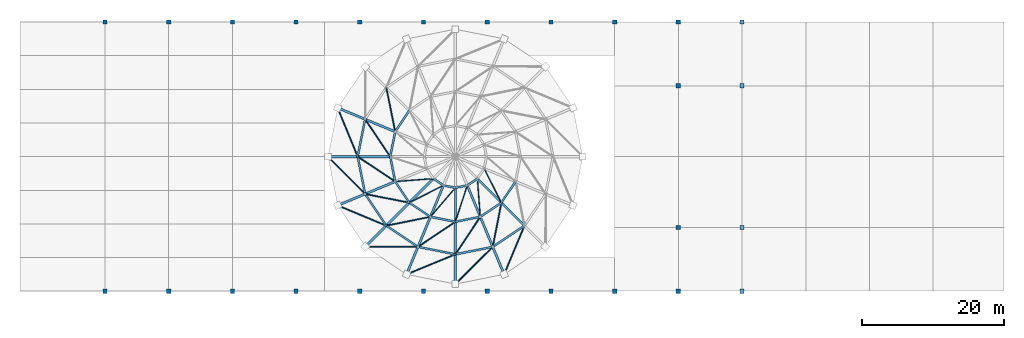
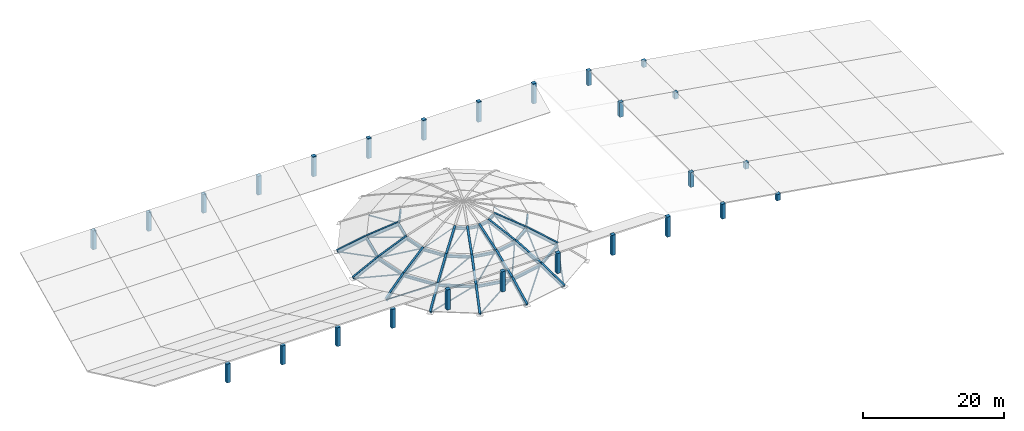
# One storey, part 1 of 7: 41 members, 26 columns, 20 beams.
"""IFC4 building model written with IfcOpenShell, lengths in metres."""

import ifcopenshell
import ifcopenshell.guid

model = None  # the IFC model being written
_history = None  # IfcOwnerHistory: only IFC2X3 demands one
_inside = {}  # id of a spatial element -> (the spatial element, [elements in it])
_under = {}  # id of a project, library or spatial element -> (it, [spatial elements below it])
_declared = {}  # id of a project -> (the project, [libraries it declares])
_typed = {}  # id of a type object -> (the type object, [elements of that type])
_made_of = {}  # id of a material, layer set ... -> (it, [elements and type objects made of it])


def new_model(schema):
    """Start an empty IFC model of exactly this schema.

    Asked for "IFC4X3", IfcOpenShell would pick the latest addendum, in which some entities
    have other attributes; the version numbers below select the first issue.
    IFC2X3 requires an IfcOwnerHistory on every rooted entity: one is made here for all.
    """
    global model, _history
    if schema == "IFC4X3":
        model = ifcopenshell.file(schema_version=(4, 3, 0, 0))
    else:
        model = ifcopenshell.file(schema=schema)
    _inside.clear()
    _under.clear()
    _declared.clear()
    _typed.clear()
    _made_of.clear()
    _history = None
    if model.schema == "IFC2X3":
        org = make("IfcOrganization", Name="unknown")
        user = make(
            "IfcPersonAndOrganization",
            ThePerson=make("IfcPerson", FamilyName="unknown"),
            TheOrganization=org,
        )
        app = make(
            "IfcApplication",
            ApplicationDeveloper=org,
            Version="unknown",
            ApplicationFullName="unknown",
            ApplicationIdentifier="unknown",
        )
        _history = make(
            "IfcOwnerHistory",
            OwningUser=user,
            OwningApplication=app,
            ChangeAction="ADDED",
            CreationDate=0,
        )
    return model


def make(cls, **values):
    """One entity of the class cls with the attributes given. An attribute that is None is left unset."""
    return model.create_entity(
        cls, **{name: value for name, value in values.items() if value is not None}
    )


def rooted(cls, **values):
    """An entity with a GlobalId (a new one), such as an element, a storey or a relation."""
    return make(cls, GlobalId=ifcopenshell.guid.new(), OwnerHistory=_history, **values)


def si_unit(unit_type, name, prefix=None):
    """IfcSIUnit, for example si_unit("LENGTHUNIT", "METRE", prefix="MILLI")."""
    return make("IfcSIUnit", UnitType=unit_type, Prefix=prefix, Name=name)


def assignment(units):
    """IfcUnitAssignment: the units of a project."""
    return None if units is None else make("IfcUnitAssignment", Units=units)


def point(xyz):
    """IfcCartesianPoint."""
    return None if xyz is None else make("IfcCartesianPoint", Coordinates=xyz)


def direction(xyz):
    """IfcDirection."""
    return None if xyz is None else make("IfcDirection", DirectionRatios=xyz)


def frame(location, z_axis=None, x_axis=None):
    """IfcAxis2Placement3D, a coordinate frame: its origin and axes. An axis left out is left unset."""
    return make(
        "IfcAxis2Placement3D",
        Location=point(location),
        Axis=direction(z_axis),
        RefDirection=direction(x_axis),
    )


def frame_2d(location, x_axis=None):
    """IfcAxis2Placement2D, a coordinate frame in the plane: its origin and x axis."""
    return make(
        "IfcAxis2Placement2D", Location=point(location), RefDirection=direction(x_axis)
    )


def origin():
    """The frame at (0, 0, 0) with its axes left unset."""
    return frame((0.0, 0.0, 0.0))


def origin_2d():
    """The frame at (0, 0) in the plane with its x axis left unset."""
    return frame_2d((0.0, 0.0))


def place(relative_to, where):
    """IfcLocalPlacement: puts the frame where relative to a parent placement (None: the world)."""
    return make(
        "IfcLocalPlacement", PlacementRelTo=relative_to, RelativePlacement=where
    )


def context(
    kind, dimensions, precision=None, world=None, true_north=None, identifier=None
):
    """IfcGeometricRepresentationContext, for example the 3D "Model" context."""
    return make(
        "IfcGeometricRepresentationContext",
        ContextIdentifier=identifier,
        ContextType=kind,
        CoordinateSpaceDimension=dimensions,
        Precision=precision,
        WorldCoordinateSystem=world,
        TrueNorth=true_north,
    )


def subcontext(parent, identifier, kind, view, scale=None):
    """IfcGeometricRepresentationSubContext, for example "Body" below "Model"."""
    return make(
        "IfcGeometricRepresentationSubContext",
        ContextIdentifier=identifier,
        ContextType=kind,
        ParentContext=parent,
        TargetScale=scale,
        TargetView=view,
    )


def project(units=None, contexts=None):
    """IfcProject with its units and contexts."""
    return rooted(
        "IfcProject",
        Name="project",
        RepresentationContexts=contexts,
        UnitsInContext=assignment(units),
    )


def spatial(cls, under=None, at=None, **own):
    """A site, building, storey or space (cls), placed at a placement, below another one or the project."""
    s = rooted(cls, ObjectPlacement=at, **own)
    if under is not None:
        _under.setdefault(under.id(), (under, []))[1].append(s)
    return s


def profile(cls, at=None, kind="AREA", **sizes):
    """A parametric profile (cls). Its sizes go by their IFC names, for example OverallWidth=200.0."""
    return make(cls, ProfileType=kind, Position=at, **sizes)


def rectangle(**sizes):
    """IfcRectangleProfileDef."""
    return profile("IfcRectangleProfileDef", **sizes)


def hollow_circle(**sizes):
    """IfcCircleHollowProfileDef."""
    return profile("IfcCircleHollowProfileDef", **sizes)


def i_section(**sizes):
    """IfcIShapeProfileDef."""
    return profile("IfcIShapeProfileDef", **sizes)


def extrude(swept, where, along, depth):
    """IfcExtrudedAreaSolid: the profile swept, set in the frame where, extruded along a direction by depth."""
    return make(
        "IfcExtrudedAreaSolid",
        SweptArea=swept,
        Position=where,
        ExtrudedDirection=direction(along),
        Depth=depth,
    )


def shape(context_of_items, identifier, shape_type, items):
    """IfcShapeRepresentation: the items that make up one representation, for example the "Body"."""
    return make(
        "IfcShapeRepresentation",
        ContextOfItems=context_of_items,
        RepresentationIdentifier=identifier,
        RepresentationType=shape_type,
        Items=items,
    )


def material(Name=None, Category=None):
    """IfcMaterial."""
    return make("IfcMaterial", Name=Name, Category=Category)


def material_profile(
    of_material, cross_section, Name=None, Category=None, Priority=None
):
    """IfcMaterialProfile: a cross section and its material."""
    return make(
        "IfcMaterialProfile",
        Name=Name,
        Material=of_material,
        Profile=cross_section,
        Priority=Priority,
        Category=Category,
    )


def profile_set(profiles, Name=None, composite=None):
    """IfcMaterialProfileSet."""
    return make(
        "IfcMaterialProfileSet",
        Name=Name,
        MaterialProfiles=profiles,
        CompositeProfile=composite,
    )


def made_of(thing, what):
    """Note that an element or type object is made of a material, layer set ...; save() writes the relation."""
    if what is not None:
        _made_of.setdefault(what.id(), (what, []))[1].append(thing)
    return thing


def type_object(cls, material=None, **own):
    """A type object (cls), such as IfcWallType, which elements share."""
    return made_of(rooted(cls, **own), material)


def element(
    cls,
    number,
    at=None,
    inside=None,
    cuts=None,
    type_object=None,
    material=None,
    context=None,
    identifier="Body",
    shape_type=None,
    held_by="IfcProductDefinitionShape",
    body=None,
    shapes=None,
    **own,
):
    """One element of the class cls, such as IfcWall. Its Tag is "e" and its number.

    at: its placement. inside: the storey or other place that contains it. cuts: it is an
    opening in that element (IfcRelVoidsElement). A single representation is given by context,
    identifier, shape_type and body (its items); several are given by shapes. held_by: the class
    of the entity that holds the representations. save() writes the other relations.
    """
    e = rooted(cls, Tag="e%d" % number, ObjectPlacement=at, **own)
    if body is not None:
        shapes = [shape(context, identifier, shape_type, body)]
    if shapes is not None:
        e.Representation = make(held_by, Representations=shapes)
    if inside is not None:
        _inside.setdefault(inside.id(), (inside, []))[1].append(e)
    if cuts is not None:
        rooted(
            "IfcRelVoidsElement", RelatingBuildingElement=cuts, RelatedOpeningElement=e
        )
    if type_object is not None:
        _typed.setdefault(type_object.id(), (type_object, []))[1].append(e)
    return made_of(e, material)


def aggregate(whole, parts):
    """IfcRelAggregates: a whole, such as a stair, and the parts it consists of."""
    return rooted("IfcRelAggregates", RelatingObject=whole, RelatedObjects=parts)


def save(model, path):
    """Write the relations noted so far, then the file.

    IfcRelAggregates (storeys below a building ...), IfcRelContainedInSpatialStructure (elements
    in a storey), IfcRelDefinesByType, IfcRelAssociatesMaterial and IfcRelDeclares: one each for
    every whole, place, type object, material and project.
    """
    for whole, parts in _under.values():
        aggregate(whole, parts)
    for where, things in _inside.values():
        rooted(
            "IfcRelContainedInSpatialStructure",
            RelatedElements=things,
            RelatingStructure=where,
        )
    for kind, things in _typed.values():
        rooted("IfcRelDefinesByType", RelatedObjects=things, RelatingType=kind)
    for what, things in _made_of.values():
        rooted("IfcRelAssociatesMaterial", RelatedObjects=things, RelatingMaterial=what)
    for by, libraries in _declared.values():
        rooted("IfcRelDeclares", RelatingContext=by, RelatedDefinitions=libraries)
    model.write(path)


model = new_model("IFC4")

# Units and contexts
model_context = context("Model", 3, precision=1e-05, world=origin(), true_north=direction((0.0, 1.0)))
body_context = subcontext(model_context, "Body", "Model", "MODEL_VIEW")
ifc_project = project(units=[si_unit("LENGTHUNIT", "METRE"), si_unit("AREAUNIT", "SQUARE_METRE"), si_unit("VOLUMEUNIT", "CUBIC_METRE"), si_unit("PLANEANGLEUNIT", "RADIAN"), si_unit("MASSUNIT", "GRAM", prefix="KILO")], contexts=[model_context])

# Site, building, storey
site_placement = place(None, origin())
site = spatial("IfcSite", under=ifc_project, at=site_placement, CompositionType="ELEMENT")
building_placement = place(site_placement, origin())
building = spatial("IfcBuilding", under=site, at=building_placement, Name="Miravela Opera House", CompositionType="ELEMENT")
storey_placement = place(building_placement, frame((0.0, 0.0, 30.760009765625)))
storey = spatial("IfcBuildingStorey", under=building, at=storey_placement, Name="RF", CompositionType="ELEMENT", Elevation=30.760009765625)

# Columns
ifc_material_1 = material(Name="Concrete C35/45", Category="concrete")
ifc_material_profile_1 = material_profile(ifc_material_1, rectangle(XDim=0.60009765625, YDim=0.60009765625, at=origin_2d()), Name="RC-COL-600X600")
ifc_profile_set_1 = profile_set([ifc_material_profile_1])
column_type = type_object("IfcColumnType", Name="STR-COL-RC600", PredefinedType="COLUMN", material=ifc_profile_set_1)
for number, where, z_axis, x_axis, name in (
    (1, (81.0, 37.0, 0.0), (0.0, 0.0, 1.0), (1.0, 0.0, 0.0), "Column C-10E (RF)"),
    (2, (81.0, 75.0, 0.0), (0.0, 0.0, 1.0), (1.0, 0.0, 0.0), "Column C-10I (RF)"),
    (3, (90.0, 37.0, 0.0), (0.0, 0.0, 1.0), (1.0, 0.0, 0.0), "Column C-11E (RF)"),
    (4, (90.0, 75.0, 0.0), (0.0, 0.0, 1.0), (1.0, 0.0, 0.0), "Column C-11I (RF)"),
    (5, (99.0, 37.0, 0.0), (0.0, 0.0, 1.0), (1.0, 0.0, 0.0), "Column C-12E (RF)"),
    (6, (99.0, 75.0, 0.0), (0.0, 0.0, 1.0), (1.0, 0.0, 0.0), "Column C-12I (RF)"),
):
    element("IfcColumn", number, at=place(storey_placement, frame(where, z_axis=z_axis, x_axis=x_axis)), inside=storey, type_object=column_type, Name=name, PredefinedType="COLUMN", context=body_context, shape_type="SweptSolid", body=[
        extrude(rectangle(XDim=0.60009765625, YDim=0.60009765625, at=origin_2d()), origin(), (0.0, 0.0, 1.0), 3.47998046875),
    ])
for number, where, z_axis, x_axis, name in (
    (7, (108.0, 37.0, 0.0), (0.0, 0.0, 1.0), (1.0, 0.0, 0.0), "Column C-13E (RF)"),
    (8, (108.0, 46.0, 0.0), (0.0, 0.0, 1.0), (1.0, 0.0, 0.0), "Column C-13F (RF)"),
    (9, (108.0, 66.0, 0.0), (0.0, 0.0, 1.0), (1.0, 0.0, 0.0), "Column C-13H (RF)"),
    (10, (108.0, 75.0, 0.0), (0.0, 0.0, 1.0), (1.0, 0.0, 0.0), "Column C-13I (RF)"),
):
    element("IfcColumn", number, at=place(storey_placement, frame(where, z_axis=z_axis, x_axis=x_axis)), inside=storey, type_object=column_type, Name=name, PredefinedType="COLUMN", context=body_context, shape_type="SweptSolid", body=[
        extrude(rectangle(XDim=0.60009765625, YDim=0.60009765625, at=origin_2d()), origin(), (0.0, 0.0, 1.0), 2.54736328125),
    ])
for number, where, z_axis, x_axis, name in (
    (11, (117.0, 37.0, 0.0), (0.0, 0.0, 1.0), (1.0, 0.0, 0.0), "Column C-14E (RF)"),
    (12, (117.0, 46.0, 0.0), (0.0, 0.0, 1.0), (1.0, 0.0, 0.0), "Column C-14F (RF)"),
    (13, (117.0, 66.0, 0.0), (0.0, 0.0, 1.0), (1.0, 0.0, 0.0), "Column C-14H (RF)"),
    (14, (117.0, 75.0, 0.0), (0.0, 0.0, 1.0), (1.0, 0.0, 0.0), "Column C-14I (RF)"),
):
    element("IfcColumn", number, at=place(storey_placement, frame(where, z_axis=z_axis, x_axis=x_axis)), inside=storey, type_object=column_type, Name=name, PredefinedType="COLUMN", context=body_context, shape_type="SweptSolid", body=[
        extrude(rectangle(XDim=0.60009765625, YDim=0.60009765625, at=origin_2d()), origin(), (0.0, 0.0, 1.0), 1.074462890625),
    ])
for number, where, z_axis, x_axis, name in (
    (15, (27.0, 37.0, 0.0), (0.0, 0.0, 1.0), (1.0, 0.0, 0.0), "Column C-4E (RF)"),
    (16, (27.0, 75.0, 0.0), (0.0, 0.0, 1.0), (1.0, 0.0, 0.0), "Column C-4I (RF)"),
    (17, (36.0, 37.0, 0.0), (0.0, 0.0, 1.0), (1.0, 0.0, 0.0), "Column C-5E (RF)"),
    (18, (36.0, 75.0, 0.0), (0.0, 0.0, 1.0), (1.0, 0.0, 0.0), "Column C-5I (RF)"),
    (19, (45.0, 37.0, 0.0), (0.0, 0.0, 1.0), (1.0, 0.0, 0.0), "Column C-6E (RF)"),
    (20, (45.0, 75.0, 0.0), (0.0, 0.0, 1.0), (1.0, 0.0, 0.0), "Column C-6I (RF)"),
    (21, (54.0, 37.0, 0.0), (0.0, 0.0, 1.0), (1.0, 0.0, 0.0), "Column C-7E (RF)"),
    (22, (54.0, 75.0, 0.0), (0.0, 0.0, 1.0), (1.0, 0.0, 0.0), "Column C-7I (RF)"),
):
    element("IfcColumn", number, at=place(storey_placement, frame(where, z_axis=z_axis, x_axis=x_axis)), inside=storey, type_object=column_type, Name=name, PredefinedType="COLUMN", context=body_context, shape_type="SweptSolid", body=[
        extrude(rectangle(XDim=0.60009765625, YDim=0.60009765625, at=origin_2d()), origin(), (0.0, 0.0, 1.0), 3.25),
    ])
for number, where, z_axis, x_axis, name in (
    (23, (63.0, 37.0, 0.0), (0.0, 0.0, 1.0), (1.0, 0.0, 0.0), "Column C-8E (RF)"),
    (24, (63.0, 75.0, 0.0), (0.0, 0.0, 1.0), (1.0, 0.0, 0.0), "Column C-8I (RF)"),
    (25, (72.0, 37.0, 0.0), (0.0, 0.0, 1.0), (1.0, 0.0, 0.0), "Column C-9E (RF)"),
    (26, (72.0, 75.0, 0.0), (0.0, 0.0, 1.0), (1.0, 0.0, 0.0), "Column C-9I (RF)"),
):
    element("IfcColumn", number, at=place(storey_placement, frame(where, z_axis=z_axis, x_axis=x_axis)), inside=storey, type_object=column_type, Name=name, PredefinedType="COLUMN", context=body_context, shape_type="SweptSolid", body=[
        extrude(rectangle(XDim=0.60009765625, YDim=0.60009765625, at=origin_2d()), origin(), (0.0, 0.0, 1.0), 3.47998046875),
    ])

# Beams
ifc_material_2 = material(Name="Structural steel ASTM A992 Gr. 50", Category="steel")
ifc_material_profile_2 = material_profile(ifc_material_2, i_section(OverallWidth=0.280029296875, OverallDepth=0.462890625, WebThickness=0.0107421875, FlangeThickness=0.017333984375, FilletRadius=0.014892578125, at=origin_2d()), Name="W460X113")
ifc_profile_set_2 = profile_set([ifc_material_profile_2])
beam_type = type_object("IfcBeamType", Name="STR-BM-W460X113", PredefinedType="BEAM", material=ifc_profile_set_2)
for number, where, z_axis, x_axis, name in (
    (27, (63.75048828125, 61.281005859375, -2.840087890625), (-0.1951045661, -0.980782446971, 0.0), (0.980782446971, -0.1951045661, 0.0), "Auditorium Dome Steel Compression Ring R1 Seg 08"),
    (28, (62.699951171875, 56.0, -2.840087890625), (0.1951045661, -0.980782446971, 0.0), (0.980782446971, 0.1951045661, 0.0), "Auditorium Dome Steel Compression Ring R1 Seg 09"),
    (29, (63.75048828125, 50.718994140625, -2.840087890625), (0.555568356554, -0.831470866114, 0.0), (0.831470866114, 0.555568356554, 0.0), "Auditorium Dome Steel Compression Ring R1 Seg 10"),
    (30, (66.741943359375, 46.241943359375, -2.840087890625), (0.831470866114, -0.555568356554, 0.0), (0.555568356554, 0.831470866114, 0.0), "Auditorium Dome Steel Compression Ring R1 Seg 11"),
    (31, (71.218994140625, 43.25048828125, -2.840087890625), (0.980782446971, -0.1951045661, 0.0), (0.1951045661, 0.980782446971, 0.0), "Auditorium Dome Steel Compression Ring R1 Seg 12"),
    (32, (76.5, 42.199951171875, -2.840087890625), (0.980782446971, 0.1951045661, 0.0), (-0.1951045661, 0.980782446971, 0.0), "Auditorium Dome Steel Compression Ring R1 Seg 13"),
    (33, (81.781005859375, 43.25048828125, -2.840087890625), (0.831470866114, 0.555568356554, 0.0), (-0.555568356554, 0.831470866114, 0.0), "Auditorium Dome Steel Compression Ring R1 Seg 14"),
):
    element("IfcBeam", number, at=place(storey_placement, frame(where, z_axis=z_axis, x_axis=x_axis)), inside=storey, type_object=beam_type, Name=name, PredefinedType="BEAM", context=body_context, shape_type="SweptSolid", body=[
        extrude(i_section(OverallWidth=0.280029296875, OverallDepth=0.462890625, WebThickness=0.0107421875, FlangeThickness=0.017333984375, FilletRadius=0.014892578125, at=origin_2d()), origin(), (0.0, 0.0, 1.0), 5.384521484375),
    ])
for number, where, z_axis, x_axis, name in (
    (34, (69.99462890625, 62.50537109375, -0.889892578125), (-0.555594502178, -0.831453395657, 0.0), (0.831453395657, -0.555594502178, 0.0), "Auditorium Dome Steel Compression Ring R2 Seg 07"),
    (35, (68.000244140625, 59.520751953125, -0.889892578125), (-0.195056612782, -0.980791984985, 0.0), (0.980791984985, -0.195056612782, 0.0), "Auditorium Dome Steel Compression Ring R2 Seg 08"),
    (36, (67.300048828125, 56.0, -0.889892578125), (0.195056612782, -0.980791984985, 0.0), (0.980791984985, 0.195056612782, 0.0), "Auditorium Dome Steel Compression Ring R2 Seg 09"),
    (37, (68.000244140625, 52.479248046875, -0.889892578125), (0.555594502178, -0.831453395657, 0.0), (0.831453395657, 0.555594502178, 0.0), "Auditorium Dome Steel Compression Ring R2 Seg 10"),
    (38, (69.99462890625, 49.49462890625, -0.889892578125), (0.831453395657, -0.555594502178, 0.0), (0.555594502178, 0.831453395657, 0.0), "Auditorium Dome Steel Compression Ring R2 Seg 11"),
    (39, (72.979248046875, 47.500244140625, -0.889892578125), (0.980791984985, -0.195056612782, 0.0), (0.195056612782, 0.980791984985, 0.0), "Auditorium Dome Steel Compression Ring R2 Seg 12"),
    (40, (76.5, 46.800048828125, -0.889892578125), (0.980791984985, 0.195056612782, 0.0), (-0.195056612782, 0.980791984985, 0.0), "Auditorium Dome Steel Compression Ring R2 Seg 13"),
    (41, (80.020751953125, 47.500244140625, -0.889892578125), (0.831453395657, 0.555594502178, 0.0), (-0.555594502178, 0.831453395657, 0.0), "Auditorium Dome Steel Compression Ring R2 Seg 14"),
    (42, (83.00537109375, 49.49462890625, -0.889892578125), (0.555594502178, 0.831453395657, 0.0), (-0.831453395657, 0.555594502178, 0.0), "Auditorium Dome Steel Compression Ring R2 Seg 15"),
):
    element("IfcBeam", number, at=place(storey_placement, frame(where, z_axis=z_axis, x_axis=x_axis)), inside=storey, type_object=beam_type, Name=name, PredefinedType="BEAM", context=body_context, shape_type="SweptSolid", body=[
        extrude(i_section(OverallWidth=0.280029296875, OverallDepth=0.462890625, WebThickness=0.0107421875, FlangeThickness=0.017333984375, FilletRadius=0.014892578125, at=origin_2d()), origin(), (0.0, 0.0, 1.0), 3.589599609375),
    ])
for number, where, z_axis, x_axis, name in (
    (43, (73.388671875, 52.888671875, 0.7099609375), (0.831459134478, -0.555585913872, 0.0), (0.555585913872, 0.831459134478, 0.0), "Auditorium Dome Steel Compression Ring R3 Seg 11"),
    (44, (74.816162109375, 51.934814453125, 0.7099609375), (0.980809723865, -0.194967396175, 0.0), (0.194967396175, 0.980809723865, 0.0), "Auditorium Dome Steel Compression Ring R3 Seg 12"),
    (45, (76.5, 51.60009765625, 0.7099609375), (0.980809723865, 0.194967396175, 0.0), (-0.194967396175, 0.980809723865, 0.0), "Auditorium Dome Steel Compression Ring R3 Seg 13"),
    (46, (78.183837890625, 51.934814453125, 0.7099609375), (0.831459134478, 0.555585913872, 0.0), (-0.555585913872, 0.831459134478, 0.0), "Auditorium Dome Steel Compression Ring R3 Seg 14"),
):
    element("IfcBeam", number, at=place(storey_placement, frame(where, z_axis=z_axis, x_axis=x_axis)), inside=storey, type_object=beam_type, Name=name, PredefinedType="BEAM", context=body_context, shape_type="SweptSolid", body=[
        extrude(i_section(OverallWidth=0.280029296875, OverallDepth=0.462890625, WebThickness=0.0107421875, FlangeThickness=0.017333984375, FilletRadius=0.014892578125, at=origin_2d()), origin(), (0.0, 0.0, 1.0), 1.716796875),
    ])

# Members
ifc_material_3 = material(Name="Hollow structural steel ASTM A500 Gr. C", Category="steel")
ifc_material_profile_3 = material_profile(ifc_material_3, hollow_circle(Radius=0.109619140625, WallThickness=0.010009765625, at=origin_2d()), Name="CHS219X10")
ifc_profile_set_3 = profile_set([ifc_material_profile_3])
member_type_1 = type_object("IfcMemberType", Name="STR-MEM-DOME-BR1", PredefinedType="BRACE", material=ifc_profile_set_3)
member_1_placement = place(storey_placement, frame((59.8701171875, 62.88818359375, -4.7099609375), z_axis=(0.365356076529, -0.889324160399, 0.274986317974), x_axis=(0.924984015125, 0.380006015429, 0.0)))
element("IfcMember", 47, at=member_1_placement, inside=storey, type_object=member_type_1, Name="Auditorium Dome Schwedler Brace R1-S08", PredefinedType="BRACE", context=body_context, shape_type="SweptSolid", body=[
    extrude(hollow_circle(Radius=0.109619140625, WallThickness=0.010009765625, at=origin_2d()), origin(), (0.0, 0.0, 1.0), 7.745361328125),
])
for number, where, z_axis, x_axis, name in (
    (48, (58.5, 56.0, -4.7099609375), (0.677874378853, -0.681814409419, 0.274982613276), (0.709152818555, 0.705054806335, 0.0), "Auditorium Dome Schwedler Brace R1-S09"),
    (49, (59.8701171875, 49.11181640625, -4.7099609375), (0.887189112182, -0.370515792578, 0.274979138618), (0.385371801197, 0.922761385648, 0.0), "Auditorium Dome Schwedler Brace R1-S10"),
):
    element("IfcMember", number, at=place(storey_placement, frame(where, z_axis=z_axis, x_axis=x_axis)), inside=storey, type_object=member_type_1, Name=name, PredefinedType="BRACE", context=body_context, shape_type="SweptSolid", body=[
        extrude(hollow_circle(Radius=0.109619140625, WallThickness=0.010009765625, at=origin_2d()), origin(), (0.0, 0.0, 1.0), 7.74560546875),
    ])
for number, where, z_axis, x_axis, name in (
    (50, (63.772216796875, 43.272216796875, -4.7099609375), (0.961444001717, -0.002805341163, 0.274986475345), (0.002917829032, 0.999995743128, 0.0), "Auditorium Dome Schwedler Brace R1-S11"),
    (51, (69.61181640625, 39.3701171875, -4.7099609375), (0.889324160399, 0.365356076529, 0.274986317974), (-0.380006015429, 0.924984015125, 0.0), "Auditorium Dome Schwedler Brace R1-S12"),
):
    element("IfcMember", number, at=place(storey_placement, frame(where, z_axis=z_axis, x_axis=x_axis)), inside=storey, type_object=member_type_1, Name=name, PredefinedType="BRACE", context=body_context, shape_type="SweptSolid", body=[
        extrude(hollow_circle(Radius=0.109619140625, WallThickness=0.010009765625, at=origin_2d()), origin(), (0.0, 0.0, 1.0), 7.745361328125),
    ])
for number, where, z_axis, x_axis, name in (
    (52, (76.5, 38.0, -4.7099609375), (0.681814409419, 0.677874378853, 0.274982613276), (-0.705054806335, 0.709152818555, 0.0), "Auditorium Dome Schwedler Brace R1-S13"),
    (53, (83.38818359375, 39.3701171875, -4.7099609375), (0.370515792578, 0.887189112182, 0.274979138618), (-0.922761385648, 0.385371801197, 0.0), "Auditorium Dome Schwedler Brace R1-S14"),
):
    element("IfcMember", number, at=place(storey_placement, frame(where, z_axis=z_axis, x_axis=x_axis)), inside=storey, type_object=member_type_1, Name=name, PredefinedType="BRACE", context=body_context, shape_type="SweptSolid", body=[
        extrude(hollow_circle(Radius=0.109619140625, WallThickness=0.010009765625, at=origin_2d()), origin(), (0.0, 0.0, 1.0), 7.74560546875),
    ])
for number, where, z_axis, x_axis, name in (
    (54, (66.741943359375, 65.758056640625, -2.580078125), (0.189074772409, -0.937229779882, 0.293003532641), (0.980251695105, 0.197753923461, 0.0), "Auditorium Dome Schwedler Brace R2-S07"),
    (55, (63.75048828125, 61.281005859375, -2.580078125), (0.533357314009, -0.793524455556, 0.29299985329), (0.829948847167, 0.55783950298, 0.0), "Auditorium Dome Schwedler Brace R2-S08"),
):
    element("IfcMember", number, at=place(storey_placement, frame(where, z_axis=z_axis, x_axis=x_axis)), inside=storey, type_object=member_type_1, Name=name, PredefinedType="BRACE", context=body_context, shape_type="SweptSolid", body=[
        extrude(hollow_circle(Radius=0.109619140625, WallThickness=0.010009765625, at=origin_2d()), origin(), (0.0, 0.0, 1.0), 6.655029296875),
    ])
member_2_placement = place(storey_placement, frame((62.699951171875, 56.0, -2.580078125), z_axis=(0.79641896998, -0.529026161496, 0.292998540453), x_axis=(0.553309308907, 0.832975875207, 0.0)))
element("IfcMember", 56, at=member_2_placement, inside=storey, type_object=member_type_1, Name="Auditorium Dome Schwedler Brace R2-S09", PredefinedType="BRACE", context=body_context, shape_type="SweptSolid", body=[
    extrude(hollow_circle(Radius=0.109619140625, WallThickness=0.010009765625, at=origin_2d()), origin(), (0.0, 0.0, 1.0), 6.6552734375),
])
for number, where, z_axis, x_axis, name in (
    (57, (63.75048828125, 50.718994140625, -2.580078125), (0.938245609319, -0.183973323848, 0.292999987552), (0.192418083071, 0.981313039406, 0.0), "Auditorium Dome Schwedler Brace R2-S10"),
    (58, (66.741943359375, 46.241943359375, -2.580078125), (0.937229779882, 0.189074772409, 0.293003532641), (-0.197753923461, 0.980251695105, 0.0), "Auditorium Dome Schwedler Brace R2-S11"),
    (59, (71.218994140625, 43.25048828125, -2.580078125), (0.793524455556, 0.533357314009, 0.29299985329), (-0.55783950298, 0.829948847167, 0.0), "Auditorium Dome Schwedler Brace R2-S12"),
):
    element("IfcMember", number, at=place(storey_placement, frame(where, z_axis=z_axis, x_axis=x_axis)), inside=storey, type_object=member_type_1, Name=name, PredefinedType="BRACE", context=body_context, shape_type="SweptSolid", body=[
        extrude(hollow_circle(Radius=0.109619140625, WallThickness=0.010009765625, at=origin_2d()), origin(), (0.0, 0.0, 1.0), 6.655029296875),
    ])
member_3_placement = place(storey_placement, frame((76.5, 42.199951171875, -2.580078125), z_axis=(0.529026161496, 0.79641896998, 0.292998540453), x_axis=(-0.832975875207, 0.553309308907, 0.0)))
element("IfcMember", 60, at=member_3_placement, inside=storey, type_object=member_type_1, Name="Auditorium Dome Schwedler Brace R2-S13", PredefinedType="BRACE", context=body_context, shape_type="SweptSolid", body=[
    extrude(hollow_circle(Radius=0.109619140625, WallThickness=0.010009765625, at=origin_2d()), origin(), (0.0, 0.0, 1.0), 6.6552734375),
])
member_4_placement = place(storey_placement, frame((81.781005859375, 43.25048828125, -2.580078125), z_axis=(0.183973323848, 0.938245609319, 0.292999987552), x_axis=(-0.981313039406, 0.192418083071, 0.0)))
element("IfcMember", 61, at=member_4_placement, inside=storey, type_object=member_type_1, Name="Auditorium Dome Schwedler Brace R2-S14", PredefinedType="BRACE", context=body_context, shape_type="SweptSolid", body=[
    extrude(hollow_circle(Radius=0.109619140625, WallThickness=0.010009765625, at=origin_2d()), origin(), (0.0, 0.0, 1.0), 6.655029296875),
])
ifc_material_profile_4 = material_profile(ifc_material_3, hollow_circle(Radius=0.084228515625, WallThickness=0.008056640625, at=origin_2d()), Name="CHS168X8")
ifc_profile_set_4 = profile_set([ifc_material_profile_4])
member_type_2 = type_object("IfcMemberType", Name="STR-MEM-DOME-BR2", PredefinedType="BRACE", material=ifc_profile_set_4)
member_5_placement = place(storey_placement, frame((68.000244140625, 52.479248046875, -0.630126953125), z_axis=(0.956094156885, 0.07264600159, 0.283912876817), x_axis=(-0.075763670472, 0.997125802613, 0.0)))
element("IfcMember", 62, at=member_5_placement, inside=storey, type_object=member_type_2, Name="Auditorium Dome Schwedler Brace R3-S10", PredefinedType="BRACE", context=body_context, shape_type="SweptSolid", body=[
    extrude(hollow_circle(Radius=0.084228515625, WallThickness=0.008056640625, at=origin_2d()), origin(), (0.0, 0.0, 1.0), 5.635986328125),
])
member_6_placement = place(storey_placement, frame((69.99462890625, 49.49462890625, -0.630126953125), z_axis=(0.855522110488, 0.432981087363, 0.283917763539), x_axis=(-0.451563543882, 0.892238962295, 0.0)))
element("IfcMember", 63, at=member_6_placement, inside=storey, type_object=member_type_2, Name="Auditorium Dome Schwedler Brace R3-S11", PredefinedType="BRACE", context=body_context, shape_type="SweptSolid", body=[
    extrude(hollow_circle(Radius=0.084228515625, WallThickness=0.008056640625, at=origin_2d()), origin(), (0.0, 0.0, 1.0), 5.6357421875),
])
member_7_placement = place(storey_placement, frame((72.979248046875, 47.500244140625, -0.630126953125), z_axis=(0.624686797588, 0.727436751397, 0.283905226503), x_axis=(-0.758653565444, 0.651494257564, 0.0)))
element("IfcMember", 64, at=member_7_placement, inside=storey, type_object=member_type_2, Name="Auditorium Dome Schwedler Brace R3-S12", PredefinedType="BRACE", context=body_context, shape_type="SweptSolid", body=[
    extrude(hollow_circle(Radius=0.084228515625, WallThickness=0.008056640625, at=origin_2d()), origin(), (0.0, 0.0, 1.0), 5.635986328125),
])
member_8_placement = place(storey_placement, frame((76.5, 46.800048828125, -0.630126953125), z_axis=(0.298779077466, 0.911109403692, 0.283920265871), x_axis=(-0.950212656239, 0.311602162898, 0.0)))
element("IfcMember", 65, at=member_8_placement, inside=storey, type_object=member_type_2, Name="Auditorium Dome Schwedler Brace R3-S13", PredefinedType="BRACE", context=body_context, shape_type="SweptSolid", body=[
    extrude(hollow_circle(Radius=0.084228515625, WallThickness=0.008056640625, at=origin_2d()), origin(), (0.0, 0.0, 1.0), 5.6357421875),
])
member_9_placement = place(storey_placement, frame((80.020751953125, 47.500244140625, -0.630126953125), z_axis=(-0.07264600159, 0.956094156885, 0.283912876817), x_axis=(-0.997125802613, -0.075763670472, 0.0)))
element("IfcMember", 66, at=member_9_placement, inside=storey, type_object=member_type_2, Name="Auditorium Dome Schwedler Brace R3-S14", PredefinedType="BRACE", context=body_context, shape_type="SweptSolid", body=[
    extrude(hollow_circle(Radius=0.084228515625, WallThickness=0.008056640625, at=origin_2d()), origin(), (0.0, 0.0, 1.0), 5.635986328125),
])
member_10_placement = place(storey_placement, frame((83.00537109375, 49.49462890625, -0.630126953125), z_axis=(-0.432981087363, 0.855522110488, 0.283917763539), x_axis=(-0.892238962295, -0.451563543882, 0.0)))
element("IfcMember", 67, at=member_10_placement, inside=storey, type_object=member_type_2, Name="Auditorium Dome Schwedler Brace R3-S15", PredefinedType="BRACE", context=body_context, shape_type="SweptSolid", body=[
    extrude(hollow_circle(Radius=0.084228515625, WallThickness=0.008056640625, at=origin_2d()), origin(), (0.0, 0.0, 1.0), 5.6357421875),
])
ifc_material_profile_5 = material_profile(ifc_material_2, i_section(OverallWidth=0.324951171875, OverallDepth=0.615966796875, WebThickness=0.013916015625, FlangeThickness=0.021484375, FilletRadius=0.01806640625, at=origin_2d()), Name="W610X174")
ifc_profile_set_5 = profile_set([ifc_material_profile_5])
member_type_3 = type_object("IfcMemberType", Name="STR-MEM-DOME-RIB1", PredefinedType="CHORD", material=ifc_profile_set_5)
member_11_placement = place(storey_placement, frame((59.8701171875, 62.88818359375, -4.7099609375), z_axis=(0.823995407616, -0.341283614467, 0.452279850009), x_axis=(0.382658110414, 0.9238900208, 0.0)))
element("IfcMember", 68, at=member_11_placement, inside=storey, type_object=member_type_3, Name="Auditorium Dome Radial Rib Chord S08-R1", PredefinedType="CHORD", context=body_context, shape_type="SweptSolid", body=[
    extrude(i_section(OverallWidth=0.324951171875, OverallDepth=0.615966796875, WebThickness=0.013916015625, FlangeThickness=0.021484375, FilletRadius=0.01806640625, at=origin_2d()), origin(), (0.0, 0.0, 1.0), 4.709228515625),
])
member_12_placement = place(storey_placement, frame((63.75048828125, 61.281005859375, -2.580078125), z_axis=(0.850611021342, -0.35232409168, 0.390292998648), x_axis=(0.382673670509, 0.923883575944, 0.0)))
element("IfcMember", 69, at=member_12_placement, inside=storey, type_object=member_type_3, Name="Auditorium Dome Radial Rib Chord S08-R2", PredefinedType="CHORD", context=body_context, shape_type="SweptSolid", body=[
    extrude(i_section(OverallWidth=0.324951171875, OverallDepth=0.615966796875, WebThickness=0.013916015625, FlangeThickness=0.021484375, FilletRadius=0.01806640625, at=origin_2d()), origin(), (0.0, 0.0, 1.0), 4.99609375),
])
member_13_placement = place(storey_placement, frame((58.5, 56.0, -4.7099609375), z_axis=(0.891872404415, 0.0, 0.452287092723), x_axis=(0.0, 1.0, 0.0)))
element("IfcMember", 70, at=member_13_placement, inside=storey, type_object=member_type_3, Name="Auditorium Dome Radial Rib Chord S09-R1", PredefinedType="CHORD", context=body_context, shape_type="SweptSolid", body=[
    extrude(i_section(OverallWidth=0.324951171875, OverallDepth=0.615966796875, WebThickness=0.013916015625, FlangeThickness=0.021484375, FilletRadius=0.01806640625, at=origin_2d()), origin(), (0.0, 0.0, 1.0), 4.709228515625),
])
member_14_placement = place(storey_placement, frame((62.699951171875, 56.0, -2.580078125), z_axis=(0.920697266207, 0.0, 0.39027752177), x_axis=(0.0, 1.0, 0.0)))
element("IfcMember", 71, at=member_14_placement, inside=storey, type_object=member_type_3, Name="Auditorium Dome Radial Rib Chord S09-R2", PredefinedType="CHORD", context=body_context, shape_type="SweptSolid", body=[
    extrude(i_section(OverallWidth=0.324951171875, OverallDepth=0.615966796875, WebThickness=0.013916015625, FlangeThickness=0.021484375, FilletRadius=0.01806640625, at=origin_2d()), origin(), (0.0, 0.0, 1.0), 4.996337890625),
])
member_15_placement = place(storey_placement, frame((59.8701171875, 49.11181640625, -4.7099609375), z_axis=(0.823995407616, 0.341283614467, 0.452279850009), x_axis=(-0.382658110414, 0.9238900208, 0.0)))
element("IfcMember", 72, at=member_15_placement, inside=storey, type_object=member_type_3, Name="Auditorium Dome Radial Rib Chord S10-R1", PredefinedType="CHORD", context=body_context, shape_type="SweptSolid", body=[
    extrude(i_section(OverallWidth=0.324951171875, OverallDepth=0.615966796875, WebThickness=0.013916015625, FlangeThickness=0.021484375, FilletRadius=0.01806640625, at=origin_2d()), origin(), (0.0, 0.0, 1.0), 4.709228515625),
])
member_16_placement = place(storey_placement, frame((63.75048828125, 50.718994140625, -2.580078125), z_axis=(0.850611021342, 0.35232409168, 0.390292998648), x_axis=(-0.382673670509, 0.923883575944, 0.0)))
element("IfcMember", 73, at=member_16_placement, inside=storey, type_object=member_type_3, Name="Auditorium Dome Radial Rib Chord S10-R2", PredefinedType="CHORD", context=body_context, shape_type="SweptSolid", body=[
    extrude(i_section(OverallWidth=0.324951171875, OverallDepth=0.615966796875, WebThickness=0.013916015625, FlangeThickness=0.021484375, FilletRadius=0.01806640625, at=origin_2d()), origin(), (0.0, 0.0, 1.0), 4.99609375),
])
member_17_placement = place(storey_placement, frame((63.772216796875, 43.272216796875, -4.7099609375), z_axis=(0.630645228708, 0.630645228708, 0.452297679649), x_axis=(-0.707106781187, 0.707106781187, 0.0)))
element("IfcMember", 74, at=member_17_placement, inside=storey, type_object=member_type_3, Name="Auditorium Dome Radial Rib Chord S11-R1", PredefinedType="CHORD", context=body_context, shape_type="SweptSolid", body=[
    extrude(i_section(OverallWidth=0.324951171875, OverallDepth=0.615966796875, WebThickness=0.013916015625, FlangeThickness=0.021484375, FilletRadius=0.01806640625, at=origin_2d()), origin(), (0.0, 0.0, 1.0), 4.708984375),
])
member_18_placement = place(storey_placement, frame((66.741943359375, 46.241943359375, -2.580078125), z_axis=(0.651029003003, 0.651029003003, 0.390285119492), x_axis=(-0.707106781187, 0.707106781187, 0.0)))
element("IfcMember", 75, at=member_18_placement, inside=storey, type_object=member_type_3, Name="Auditorium Dome Radial Rib Chord S11-R2", PredefinedType="CHORD", context=body_context, shape_type="SweptSolid", body=[
    extrude(i_section(OverallWidth=0.324951171875, OverallDepth=0.615966796875, WebThickness=0.013916015625, FlangeThickness=0.021484375, FilletRadius=0.01806640625, at=origin_2d()), origin(), (0.0, 0.0, 1.0), 4.996337890625),
])
member_19_placement = place(storey_placement, frame((69.61181640625, 39.3701171875, -4.7099609375), z_axis=(0.341283614467, 0.823995407616, 0.452279850009), x_axis=(-0.9238900208, 0.382658110414, 0.0)))
element("IfcMember", 76, at=member_19_placement, inside=storey, type_object=member_type_3, Name="Auditorium Dome Radial Rib Chord S12-R1", PredefinedType="CHORD", context=body_context, shape_type="SweptSolid", body=[
    extrude(i_section(OverallWidth=0.324951171875, OverallDepth=0.615966796875, WebThickness=0.013916015625, FlangeThickness=0.021484375, FilletRadius=0.01806640625, at=origin_2d()), origin(), (0.0, 0.0, 1.0), 4.709228515625),
])
member_20_placement = place(storey_placement, frame((71.218994140625, 43.25048828125, -2.580078125), z_axis=(0.35232409168, 0.850611021342, 0.390292998648), x_axis=(-0.923883575944, 0.382673670509, 0.0)))
element("IfcMember", 77, at=member_20_placement, inside=storey, type_object=member_type_3, Name="Auditorium Dome Radial Rib Chord S12-R2", PredefinedType="CHORD", context=body_context, shape_type="SweptSolid", body=[
    extrude(i_section(OverallWidth=0.324951171875, OverallDepth=0.615966796875, WebThickness=0.013916015625, FlangeThickness=0.021484375, FilletRadius=0.01806640625, at=origin_2d()), origin(), (0.0, 0.0, 1.0), 4.99609375),
])
member_21_placement = place(storey_placement, frame((76.5, 38.0, -4.7099609375), z_axis=(0.0, 0.891872404415, 0.452287092723), x_axis=(-1.0, 0.0, 0.0)))
element("IfcMember", 78, at=member_21_placement, inside=storey, type_object=member_type_3, Name="Auditorium Dome Radial Rib Chord S13-R1", PredefinedType="CHORD", context=body_context, shape_type="SweptSolid", body=[
    extrude(i_section(OverallWidth=0.324951171875, OverallDepth=0.615966796875, WebThickness=0.013916015625, FlangeThickness=0.021484375, FilletRadius=0.01806640625, at=origin_2d()), origin(), (0.0, 0.0, 1.0), 4.709228515625),
])
member_22_placement = place(storey_placement, frame((76.5, 42.199951171875, -2.580078125), z_axis=(0.0, 0.920697266207, 0.39027752177), x_axis=(-1.0, 0.0, 0.0)))
element("IfcMember", 79, at=member_22_placement, inside=storey, type_object=member_type_3, Name="Auditorium Dome Radial Rib Chord S13-R2", PredefinedType="CHORD", context=body_context, shape_type="SweptSolid", body=[
    extrude(i_section(OverallWidth=0.324951171875, OverallDepth=0.615966796875, WebThickness=0.013916015625, FlangeThickness=0.021484375, FilletRadius=0.01806640625, at=origin_2d()), origin(), (0.0, 0.0, 1.0), 4.996337890625),
])
member_23_placement = place(storey_placement, frame((83.38818359375, 39.3701171875, -4.7099609375), z_axis=(-0.341283614467, 0.823995407616, 0.452279850009), x_axis=(-0.9238900208, -0.382658110414, 0.0)))
element("IfcMember", 80, at=member_23_placement, inside=storey, type_object=member_type_3, Name="Auditorium Dome Radial Rib Chord S14-R1", PredefinedType="CHORD", context=body_context, shape_type="SweptSolid", body=[
    extrude(i_section(OverallWidth=0.324951171875, OverallDepth=0.615966796875, WebThickness=0.013916015625, FlangeThickness=0.021484375, FilletRadius=0.01806640625, at=origin_2d()), origin(), (0.0, 0.0, 1.0), 4.709228515625),
])
member_24_placement = place(storey_placement, frame((81.781005859375, 43.25048828125, -2.580078125), z_axis=(-0.35232409168, 0.850611021342, 0.390292998648), x_axis=(-0.923883575944, -0.382673670509, 0.0)))
element("IfcMember", 81, at=member_24_placement, inside=storey, type_object=member_type_3, Name="Auditorium Dome Radial Rib Chord S14-R2", PredefinedType="CHORD", context=body_context, shape_type="SweptSolid", body=[
    extrude(i_section(OverallWidth=0.324951171875, OverallDepth=0.615966796875, WebThickness=0.013916015625, FlangeThickness=0.021484375, FilletRadius=0.01806640625, at=origin_2d()), origin(), (0.0, 0.0, 1.0), 4.99609375),
])
member_25_placement = place(storey_placement, frame((86.258056640625, 46.241943359375, -2.580078125), z_axis=(-0.651029003003, 0.651029003003, 0.390285119492), x_axis=(-0.707106781187, -0.707106781187, 0.0)))
element("IfcMember", 82, at=member_25_placement, inside=storey, type_object=member_type_3, Name="Auditorium Dome Radial Rib Chord S15-R2", PredefinedType="CHORD", context=body_context, shape_type="SweptSolid", body=[
    extrude(i_section(OverallWidth=0.324951171875, OverallDepth=0.615966796875, WebThickness=0.013916015625, FlangeThickness=0.021484375, FilletRadius=0.01806640625, at=origin_2d()), origin(), (0.0, 0.0, 1.0), 4.996337890625),
])
ifc_material_profile_6 = material_profile(ifc_material_2, i_section(OverallWidth=0.31201171875, OverallDepth=0.54296875, WebThickness=0.0126953125, FlangeThickness=0.020263671875, FilletRadius=0.01611328125, at=origin_2d()), Name="W530X150")
ifc_profile_set_6 = profile_set([ifc_material_profile_6])
member_type_4 = type_object("IfcMemberType", Name="STR-MEM-DOME-RIB2", PredefinedType="CHORD", material=ifc_profile_set_6)
for number, where, z_axis, x_axis, name in (
    (83, (69.99462890625, 49.49462890625, -0.630126953125), (0.670814923405, 0.670814923405, 0.316250971658), (-0.707106781187, 0.707106781187, 0.0), "Auditorium Dome Radial Rib Chord S11-R3"),
    (84, (72.979248046875, 47.500244140625, -0.630126953125), (0.363052163345, 0.876459263025, 0.316247192791), (-0.923875488976, 0.382693194178, 0.0), "Auditorium Dome Radial Rib Chord S12-R3"),
):
    element("IfcMember", number, at=place(storey_placement, frame(where, z_axis=z_axis, x_axis=x_axis)), inside=storey, type_object=member_type_4, Name=name, PredefinedType="CHORD", context=body_context, shape_type="SweptSolid", body=[
        extrude(i_section(OverallWidth=0.31201171875, OverallDepth=0.54296875, WebThickness=0.0126953125, FlangeThickness=0.020263671875, FilletRadius=0.01611328125, at=origin_2d()), origin(), (0.0, 0.0, 1.0), 5.0595703125),
    ])
member_26_placement = place(storey_placement, frame((76.5, 46.800048828125, -0.630126953125), z_axis=(0.0, 0.948678472761, 0.316242241517), x_axis=(-1.0, 0.0, 0.0)))
element("IfcMember", 85, at=member_26_placement, inside=storey, type_object=member_type_4, Name="Auditorium Dome Radial Rib Chord S13-R3", PredefinedType="CHORD", context=body_context, shape_type="SweptSolid", body=[
    extrude(i_section(OverallWidth=0.31201171875, OverallDepth=0.54296875, WebThickness=0.0126953125, FlangeThickness=0.020263671875, FilletRadius=0.01611328125, at=origin_2d()), origin(), (0.0, 0.0, 1.0), 5.059814453125),
])
for number, where, z_axis, x_axis, name in (
    (86, (80.020751953125, 47.500244140625, -0.630126953125), (-0.363052163345, 0.876459263025, 0.316247192791), (-0.923875488976, -0.382693194178, 0.0), "Auditorium Dome Radial Rib Chord S14-R3"),
    (87, (83.00537109375, 49.49462890625, -0.630126953125), (-0.670814923405, 0.670814923405, 0.316250971658), (-0.707106781187, -0.707106781187, 0.0), "Auditorium Dome Radial Rib Chord S15-R3"),
):
    element("IfcMember", number, at=place(storey_placement, frame(where, z_axis=z_axis, x_axis=x_axis)), inside=storey, type_object=member_type_4, Name=name, PredefinedType="CHORD", context=body_context, shape_type="SweptSolid", body=[
        extrude(i_section(OverallWidth=0.31201171875, OverallDepth=0.54296875, WebThickness=0.0126953125, FlangeThickness=0.020263671875, FilletRadius=0.01611328125, at=origin_2d()), origin(), (0.0, 0.0, 1.0), 5.0595703125),
    ])

save(model, "model.ifc")
